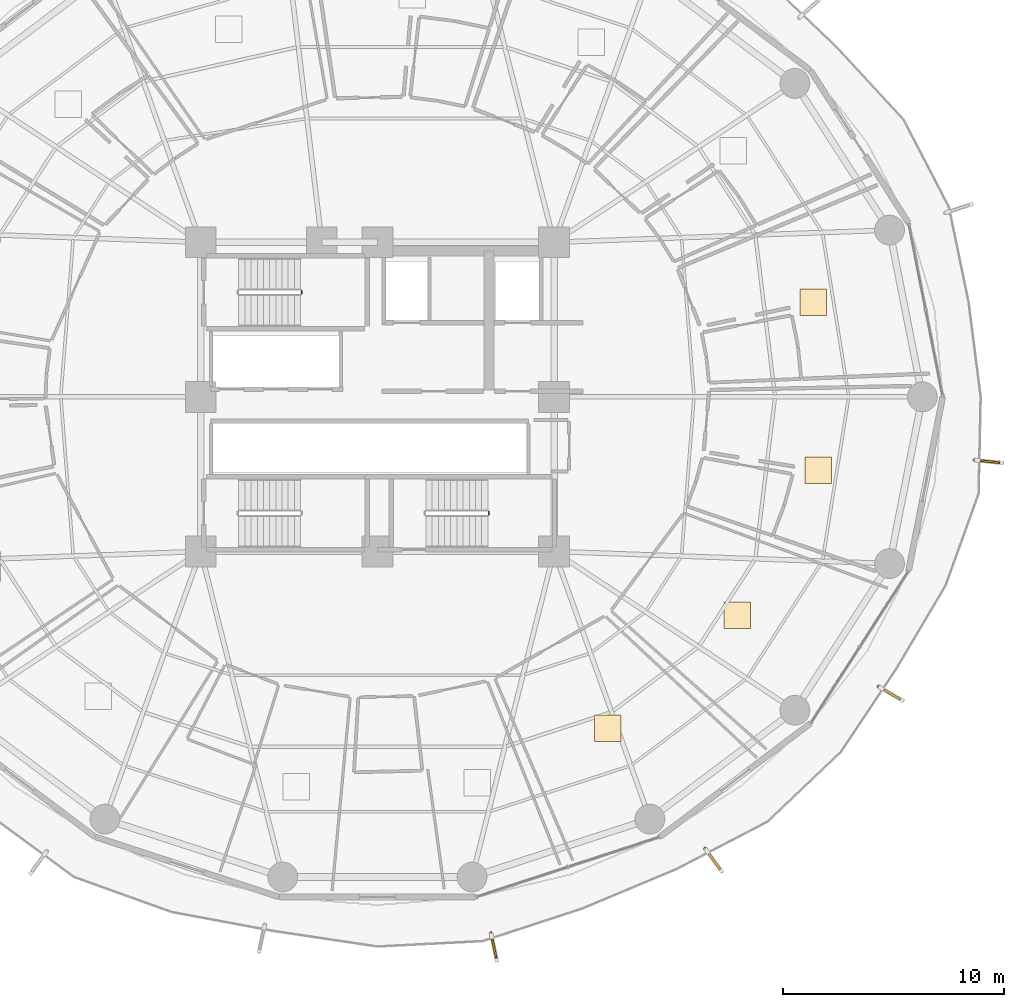
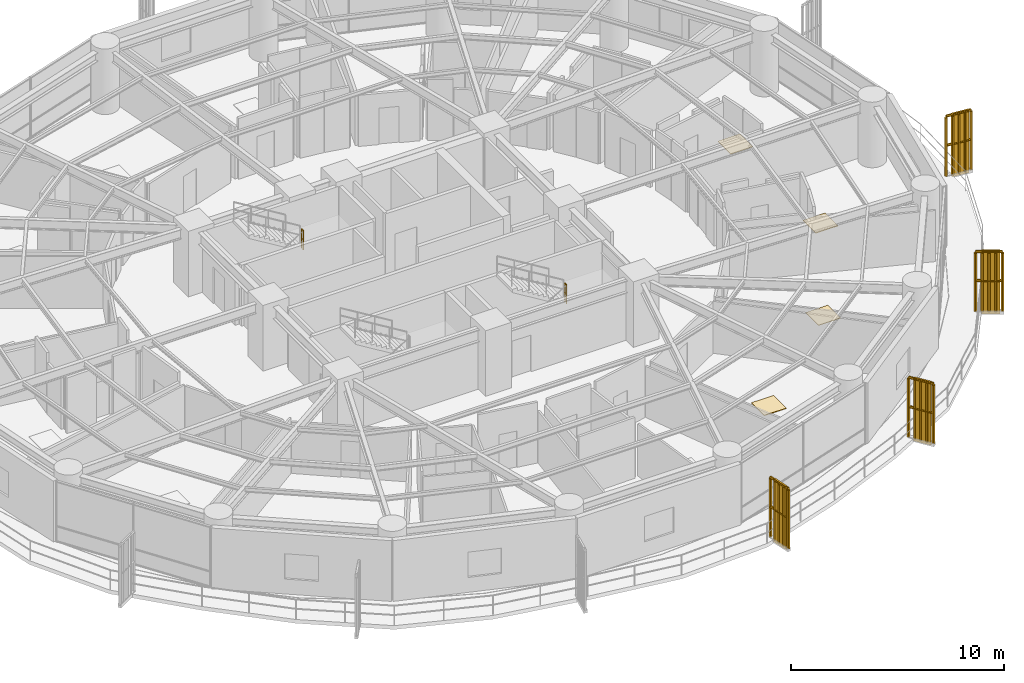
# One storey, part 34 of 35: 6 railings, 4 coverings, 4 shading devices.
"""IFC4 building model written with IfcOpenShell, lengths in metres."""

from ifc_helpers import new_model, si_unit, direction, frame, origin, origin_2d, place, context, subcontext, project, spatial, polyline, rectangle, outline, extrude, source, transform, mapped, material, layer, layer_set, type_object, element, save


model = new_model("IFC4")

# Units and contexts
model_context = context("Model", 3, precision=1e-05, world=origin(), true_north=direction((0.0, 1.0)))
body_context = subcontext(model_context, "Body", "Model", "MODEL_VIEW")
ifc_project = project(units=[si_unit("LENGTHUNIT", "METRE"), si_unit("AREAUNIT", "SQUARE_METRE"), si_unit("VOLUMEUNIT", "CUBIC_METRE"), si_unit("PLANEANGLEUNIT", "RADIAN"), si_unit("MASSUNIT", "GRAM", prefix="KILO")], contexts=[model_context])

# Site, building, storey
site_placement = place(None, origin())
site = spatial("IfcSite", under=ifc_project, at=site_placement, CompositionType="ELEMENT")
building_placement = place(site_placement, origin())
building = spatial("IfcBuilding", under=site, at=building_placement, Name="Kelanora Arch Commons", CompositionType="ELEMENT")
storey_placement = place(building_placement, frame((0.0, 0.0, 87.60009765625)))
storey = spatial("IfcBuildingStorey", under=building, at=storey_placement, Name="L22", CompositionType="ELEMENT", Elevation=87.60009765625)

# Railings
ifc_material_1 = material(Name="Anodised bronze vertical shading fin rib assembly")
railing_type_1 = type_object("IfcRailingType", Name="RAIL-FIN-BRZ", PredefinedType="BALUSTRADE", material=ifc_material_1)
railing_1_placement = place(storey_placement, frame((79.143798828125, 33.71240234375, -0.02001953125)))
element("IfcRailing", 1, at=railing_1_placement, inside=storey, type_object=railing_type_1, Name="Sweeping Bronze Vertical Fin Blade L22-10", PredefinedType="BALUSTRADE", context=body_context, shape_type="SweptSolid", body=[
    extrude(outline(polyline([(0.06982421875, 0.0), (0.034912109375, 0.060546875), (-0.034912109375, 0.060546875), (-0.06982421875, 0.0), (-0.034912109375, -0.060546875), (0.034912109375, -0.060546875), (0.06982421875, 0.0)])), frame((0.0, 0.0, 3.419921875), z_axis=(0.207280961222, -0.978281453936, 0.0), x_axis=(0.978281453936, 0.207280961222, 0.0)), (0.0, 0.0, 1.0), 1.2685546875),
    extrude(outline(polyline([(0.06982421875, 0.0), (0.034912109375, 0.060546875), (-0.034912109375, 0.060546875), (-0.06982421875, 0.0), (-0.034912109375, -0.060546875), (0.034912109375, -0.060546875), (0.06982421875, 0.0)])), frame((0.0, 0.0, 1.7451171875), z_axis=(0.207280961222, -0.978281453936, 0.0), x_axis=(0.978281453936, 0.207280961222, 0.0)), (0.0, 0.0, 1.0), 1.2685546875),
    extrude(outline(polyline([(0.080078125, 0.0), (0.0400390625, 0.0693359375), (-0.0400390625, 0.0693359375), (-0.080078125, 0.0), (-0.0400390625, -0.0693359375), (0.0400390625, -0.0693359375), (0.080078125, 0.0)])), origin(), (0.0, 0.0, 1.0), 3.35009765625),
    extrude(outline(polyline([(0.080078125, 0.0), (0.0400390625, 0.0693359375), (-0.0400390625, 0.0693359375), (-0.080078125, 0.0), (-0.0400390625, -0.0693359375), (0.0400390625, -0.0693359375), (0.080078125, 0.0)])), frame((0.065673828125, -0.310302734375, 0.0)), (0.0, 0.0, 1.0), 3.35009765625),
    extrude(outline(polyline([(0.080078125, 0.0), (0.0400390625, 0.0693359375), (-0.0400390625, 0.0693359375), (-0.080078125, 0.0), (-0.0400390625, -0.0693359375), (0.0400390625, -0.0693359375), (0.080078125, 0.0)])), frame((0.13134765625, -0.62060546875, 0.0)), (0.0, 0.0, 1.0), 3.35009765625),
    extrude(outline(polyline([(0.080078125, 0.0), (0.0400390625, 0.0693359375), (-0.0400390625, 0.0693359375), (-0.080078125, 0.0), (-0.0400390625, -0.0693359375), (0.0400390625, -0.0693359375), (0.080078125, 0.0)])), frame((0.197265625, -0.9306640625, 0.0)), (0.0, 0.0, 1.0), 3.35009765625),
    extrude(outline(polyline([(0.080078125, 0.0), (0.0400390625, 0.0693359375), (-0.0400390625, 0.0693359375), (-0.080078125, 0.0), (-0.0400390625, -0.0693359375), (0.0400390625, -0.0693359375), (0.080078125, 0.0)])), frame((0.262939453125, -1.240966796875, 0.0)), (0.0, 0.0, 1.0), 3.35009765625),
])
railing_2_placement = place(storey_placement, frame((88.84130859375, 37.541015625, -0.02001953125)))
element("IfcRailing", 2, at=railing_2_placement, inside=storey, type_object=railing_type_1, Name="Sweeping Bronze Vertical Fin Blade L22-11", PredefinedType="BALUSTRADE", context=body_context, shape_type="SweptSolid", body=[
    extrude(outline(polyline([(0.06982421875, 0.0), (0.034912109375, 0.060546875), (-0.034912109375, 0.060546875), (-0.06982421875, 0.0), (-0.034912109375, -0.060546875), (0.034912109375, -0.060546875), (0.06982421875, 0.0)])), frame((0.0, 0.0, 3.419921875), z_axis=(0.587175695159, -0.809459512894, 0.0), x_axis=(0.809459512894, 0.587175695159, 0.0)), (0.0, 0.0, 1.0), 1.2685546875),
    extrude(outline(polyline([(0.06982421875, 0.0), (0.034912109375, 0.060546875), (-0.034912109375, 0.060546875), (-0.06982421875, 0.0), (-0.034912109375, -0.060546875), (0.034912109375, -0.060546875), (0.06982421875, 0.0)])), frame((0.0, 0.0, 1.7451171875), z_axis=(0.587175695159, -0.809459512894, 0.0), x_axis=(0.809459512894, 0.587175695159, 0.0)), (0.0, 0.0, 1.0), 1.2685546875),
    extrude(outline(polyline([(0.080078125, 0.0), (0.0400390625, 0.0693359375), (-0.0400390625, 0.0693359375), (-0.080078125, 0.0), (-0.0400390625, -0.0693359375), (0.0400390625, -0.0693359375), (0.080078125, 0.0)])), origin(), (0.0, 0.0, 1.0), 3.35009765625),
    extrude(outline(polyline([(0.080078125, 0.0), (0.0400390625, 0.0693359375), (-0.0400390625, 0.0693359375), (-0.080078125, 0.0), (-0.0400390625, -0.0693359375), (0.0400390625, -0.0693359375), (0.080078125, 0.0)])), frame((0.186279296875, -0.2568359375, 0.0)), (0.0, 0.0, 1.0), 3.35009765625),
    extrude(outline(polyline([(0.080078125, 0.0), (0.0400390625, 0.0693359375), (-0.0400390625, 0.0693359375), (-0.080078125, 0.0), (-0.0400390625, -0.0693359375), (0.0400390625, -0.0693359375), (0.080078125, 0.0)])), frame((0.37255859375, -0.513427734375, 0.0)), (0.0, 0.0, 1.0), 3.35009765625),
    extrude(outline(polyline([(0.080078125, 0.0), (0.0400390625, 0.0693359375), (-0.0400390625, 0.0693359375), (-0.080078125, 0.0), (-0.0400390625, -0.0693359375), (0.0400390625, -0.0693359375), (0.080078125, 0.0)])), frame((0.55859375, -0.77001953125, 0.0)), (0.0, 0.0, 1.0), 3.35009765625),
    extrude(outline(polyline([(0.080078125, 0.0), (0.0400390625, 0.0693359375), (-0.0400390625, 0.0693359375), (-0.080078125, 0.0), (-0.0400390625, -0.0693359375), (0.0400390625, -0.0693359375), (0.080078125, 0.0)])), frame((0.744873046875, -1.02685546875, 0.0)), (0.0, 0.0, 1.0), 3.35009765625),
])
railing_3_placement = place(storey_placement, frame((96.69189453125, 44.876708984375, -0.02001953125)))
element("IfcRailing", 3, at=railing_3_placement, inside=storey, type_object=railing_type_1, Name="Sweeping Bronze Vertical Fin Blade L22-12", PredefinedType="BALUSTRADE", context=body_context, shape_type="SweptSolid", body=[
    extrude(outline(polyline([(0.06982421875, 0.0), (0.034912109375, 0.060546875), (-0.034912109375, 0.060546875), (-0.06982421875, 0.0), (-0.034912109375, -0.060546875), (0.034912109375, -0.060546875), (0.06982421875, 0.0)])), frame((0.0, 0.0, 3.419921875), z_axis=(0.865637071579, -0.500672008712, 0.0), x_axis=(0.500672008712, 0.865637071579, 0.0)), (0.0, 0.0, 1.0), 1.268310546875),
    extrude(outline(polyline([(0.06982421875, 0.0), (0.034912109375, 0.060546875), (-0.034912109375, 0.060546875), (-0.06982421875, 0.0), (-0.034912109375, -0.060546875), (0.034912109375, -0.060546875), (0.06982421875, 0.0)])), frame((0.0, 0.0, 1.7451171875), z_axis=(0.865637071579, -0.500672008712, 0.0), x_axis=(0.500672008712, 0.865637071579, 0.0)), (0.0, 0.0, 1.0), 1.268310546875),
    extrude(outline(polyline([(0.080078125, 0.0), (0.0400390625, 0.0693359375), (-0.0400390625, 0.0693359375), (-0.080078125, 0.0), (-0.0400390625, -0.0693359375), (0.0400390625, -0.0693359375), (0.080078125, 0.0)])), origin(), (0.0, 0.0, 1.0), 3.35009765625),
    extrude(outline(polyline([(0.080078125, 0.0), (0.0400390625, 0.0693359375), (-0.0400390625, 0.0693359375), (-0.080078125, 0.0), (-0.0400390625, -0.0693359375), (0.0400390625, -0.0693359375), (0.080078125, 0.0)])), frame((0.2744140625, -0.15869140625, 0.0)), (0.0, 0.0, 1.0), 3.35009765625),
    extrude(outline(polyline([(0.080078125, 0.0), (0.0400390625, 0.0693359375), (-0.0400390625, 0.0693359375), (-0.080078125, 0.0), (-0.0400390625, -0.0693359375), (0.0400390625, -0.0693359375), (0.080078125, 0.0)])), frame((0.548828125, -0.3173828125, 0.0)), (0.0, 0.0, 1.0), 3.35009765625),
    extrude(outline(polyline([(0.080078125, 0.0), (0.0400390625, 0.0693359375), (-0.0400390625, 0.0693359375), (-0.080078125, 0.0), (-0.0400390625, -0.0693359375), (0.0400390625, -0.0693359375), (0.080078125, 0.0)])), frame((0.823486328125, -0.476318359375, 0.0)), (0.0, 0.0, 1.0), 3.35009765625),
    extrude(outline(polyline([(0.080078125, 0.0), (0.0400390625, 0.0693359375), (-0.0400390625, 0.0693359375), (-0.080078125, 0.0), (-0.0400390625, -0.0693359375), (0.0400390625, -0.0693359375), (0.080078125, 0.0)])), frame((1.097900390625, -0.635009765625, 0.0)), (0.0, 0.0, 1.0), 3.35009765625),
])
railing_4_placement = place(storey_placement, frame((101.033203125, 55.138671875, -0.02001953125)))
element("IfcRailing", 4, at=railing_4_placement, inside=storey, type_object=railing_type_1, Name="Sweeping Bronze Vertical Fin Blade L22-13", PredefinedType="BALUSTRADE", context=body_context, shape_type="SweptSolid", body=[
    extrude(outline(polyline([(0.06982421875, 0.0), (0.034912109375, 0.060546875), (-0.034912109375, 0.060546875), (-0.06982421875, 0.0), (-0.034912109375, -0.060546875), (0.034912109375, -0.060546875), (0.06982421875, 0.0)])), frame((0.0, 0.0, 3.419921875), z_axis=(0.994445189605, -0.105255711825, 0.0), x_axis=(0.105255711825, 0.994445189605, 0.0)), (0.0, 0.0, 1.0), 1.268798828125),
    extrude(outline(polyline([(0.06982421875, 0.0), (0.034912109375, 0.060546875), (-0.034912109375, 0.060546875), (-0.06982421875, 0.0), (-0.034912109375, -0.060546875), (0.034912109375, -0.060546875), (0.06982421875, 0.0)])), frame((0.0, 0.0, 1.7451171875), z_axis=(0.994445189605, -0.105255711825, 0.0), x_axis=(0.105255711825, 0.994445189605, 0.0)), (0.0, 0.0, 1.0), 1.268798828125),
    extrude(outline(polyline([(0.080078125, 0.0), (0.0400390625, 0.0693359375), (-0.0400390625, 0.0693359375), (-0.080078125, 0.0), (-0.0400390625, -0.0693359375), (0.0400390625, -0.0693359375), (0.080078125, 0.0)])), origin(), (0.0, 0.0, 1.0), 3.35009765625),
    extrude(outline(polyline([(0.080078125, 0.0), (0.0400390625, 0.0693359375), (-0.0400390625, 0.0693359375), (-0.080078125, 0.0), (-0.0400390625, -0.0693359375), (0.0400390625, -0.0693359375), (0.080078125, 0.0)])), frame((0.3154296875, -0.033447265625, 0.0)), (0.0, 0.0, 1.0), 3.35009765625),
    extrude(outline(polyline([(0.080078125, 0.0), (0.0400390625, 0.0693359375), (-0.0400390625, 0.0693359375), (-0.080078125, 0.0), (-0.0400390625, -0.0693359375), (0.0400390625, -0.0693359375), (0.080078125, 0.0)])), frame((0.630859375, -0.06689453125, 0.0)), (0.0, 0.0, 1.0), 3.35009765625),
    extrude(outline(polyline([(0.080078125, 0.0), (0.0400390625, 0.0693359375), (-0.0400390625, 0.0693359375), (-0.080078125, 0.0), (-0.0400390625, -0.0693359375), (0.0400390625, -0.0693359375), (0.080078125, 0.0)])), frame((0.9462890625, -0.10009765625, 0.0)), (0.0, 0.0, 1.0), 3.35009765625),
    extrude(outline(polyline([(0.080078125, 0.0), (0.0400390625, 0.0693359375), (-0.0400390625, 0.0693359375), (-0.080078125, 0.0), (-0.0400390625, -0.0693359375), (0.0400390625, -0.0693359375), (0.080078125, 0.0)])), frame((1.26171875, -0.133544921875, 0.0)), (0.0, 0.0, 1.0), 3.35009765625),
])
ifc_material_2 = material(Name="Painted steel stair well guard", Category="steel")
railing_type_2 = type_object("IfcRailingType", Name="RAIL-STAIR-GRD", PredefinedType="GUARDRAIL", material=ifc_material_2)
for number, where, name in (
    (5, (70.570068359375, 62.659912109375, 1.875), "L22 ST-T1 stair guard 2"),
    (6, (79.050048828125, 52.659912109375, 1.875), "L22 ST-T2 stair guard 2"),
):
    element("IfcRailing", number, at=place(storey_placement, frame(where)), inside=storey, type_object=railing_type_2, Name=name, PredefinedType="GUARDRAIL", context=body_context, shape_type="SweptSolid", body=[
        extrude(outline(polyline([(0.02392578125, 0.0), (0.011962890625, 0.020751953125), (-0.011962890625, 0.020751953125), (-0.02392578125, 0.0), (-0.011962890625, -0.020751953125), (0.011962890625, -0.020751953125), (0.02392578125, 0.0)])), frame((0.0, 0.0, 1.076171875), z_axis=(0.0, 1.0, 0.0), x_axis=(-1.0, 0.0, 0.0)), (0.0, 0.0, 1.0), 0.150146484375),
        extrude(outline(polyline([(0.02392578125, 0.0), (0.011962890625, 0.020751953125), (-0.011962890625, 0.020751953125), (-0.02392578125, 0.0), (-0.011962890625, -0.020751953125), (0.011962890625, -0.020751953125), (0.02392578125, 0.0)])), frame((0.0, 0.0, 0.550048828125), z_axis=(0.0, 1.0, 0.0), x_axis=(-1.0, 0.0, 0.0)), (0.0, 0.0, 1.0), 0.150146484375),
        extrude(outline(polyline([(0.02099609375, 0.0), (0.010498046875, 0.01806640625), (-0.010498046875, 0.01806640625), (-0.02099609375, 0.0), (-0.010498046875, -0.01806640625), (0.010498046875, -0.01806640625), (0.02099609375, 0.0)])), origin(), (0.0, 0.0, 1.0), 1.052001953125),
        extrude(outline(polyline([(0.02099609375, 0.0), (0.010498046875, 0.01806640625), (-0.010498046875, 0.01806640625), (-0.02099609375, 0.0), (-0.010498046875, -0.01806640625), (0.010498046875, -0.01806640625), (0.02099609375, 0.0)])), frame((0.0, 0.150146484375, 0.0)), (0.0, 0.0, 1.0), 1.052001953125),
    ])

# Shading devices
ifc_material_3 = material(Name="Terracotta ceramic-clad extruded aluminium fin", Category="masonry")
shading_device_type = type_object("IfcShadingDeviceType", Name="SHD-FIN-FLARE", PredefinedType="USERDEFINED", material=ifc_material_3)
shared_shape_1 = source(origin(), body_context, "Body", "SweptSolid", [
    extrude(rectangle(XDim=0.8798828125, YDim=0.090087890625, at=origin_2d()), origin(), (0.0, 0.0, 1.0), 3.610107421875),
])
for number, where, z_axis, x_axis, name in (
    (7, (79.29296875, 33.008056640625, -0.14013671875), (0.0, 0.0, 1.0), (0.207228764358, -0.978292512096, 0.0), "Sweeping Terracotta Fin L22-10"),
    (8, (89.26416015625, 36.958251953125, -0.14013671875), (0.0, 0.0, 1.0), (0.587220308688, -0.809427148707, 0.0), "Sweeping Terracotta Fin L22-11"),
    (9, (97.315185546875, 44.51611328125, -0.14013671875), (0.0, 0.0, 1.0), (0.865676126917, -0.500604477892, 0.0), "Sweeping Terracotta Fin L22-12"),
    (10, (101.749267578125, 55.06298828125, -0.14013671875), (0.0, 0.0, 1.0), (0.994448678381, -0.105222745001, 0.0), "Sweeping Terracotta Fin L22-13"),
):
    element("IfcShadingDevice", number, at=place(storey_placement, frame(where, z_axis=z_axis, x_axis=x_axis)), inside=storey, type_object=shading_device_type, Name=name, ObjectType="FIN", PredefinedType="USERDEFINED", context=body_context, shape_type="MappedRepresentation", body=[
        mapped(shared_shape_1, transform((0.0, 0.0, 0.0), scale=1.0)),
    ])

# Coverings
ifc_material_4 = material(Name="Polished local granite terrazzo flooring", Category="masonry")
ifc_layer = layer(ifc_material_4, 0.030029296875)
ifc_layer_set = layer_set([ifc_layer], Name="Polished local granite terrazzo flooring")
covering_type = type_object("IfcCoveringType", Name="COV-FLR-TER", PredefinedType="FLOORING", material=ifc_layer_set)
shared_shape_2 = source(origin(), body_context, "Body", "SweptSolid", [
    extrude(rectangle(XDim=1.199951171875, YDim=1.199951171875, at=origin_2d()), origin(), (0.0, 0.0, 1.0), 0.030029296875),
])
for number, where, z_axis, x_axis, name in (
    (11, (84.42138671875, 42.9853515625, 0.0), (0.0, 0.0, 1.0), (1.0, 0.0, 0.0), "Quiet Seminar Study Room L22-12 Terrazzo Finish"),
    (12, (90.303955078125, 48.099609375, 0.0), (0.0, 0.0, 1.0), (1.0, 0.0, 0.0), "Quiet Seminar Study Room L22-13 Terrazzo Finish"),
    (13, (93.97265625, 54.685791015625, 0.0), (0.0, 0.0, 1.0), (1.0, 0.0, 0.0), "Co-Living Studio L22-14 Terrazzo Finish"),
    (14, (93.744873046875, 62.281982421875, 0.0), (0.0, 0.0, 1.0), (1.0, 0.0, 0.0), "Co-Living Studio L22-15 Terrazzo Finish"),
):
    element("IfcCovering", number, at=place(storey_placement, frame(where, z_axis=z_axis, x_axis=x_axis)), inside=storey, type_object=covering_type, Name=name, PredefinedType="FLOORING", context=body_context, shape_type="MappedRepresentation", body=[
        mapped(shared_shape_2, transform((0.0, 0.0, 0.0), scale=1.0)),
    ])

save(model, "model.ifc")
